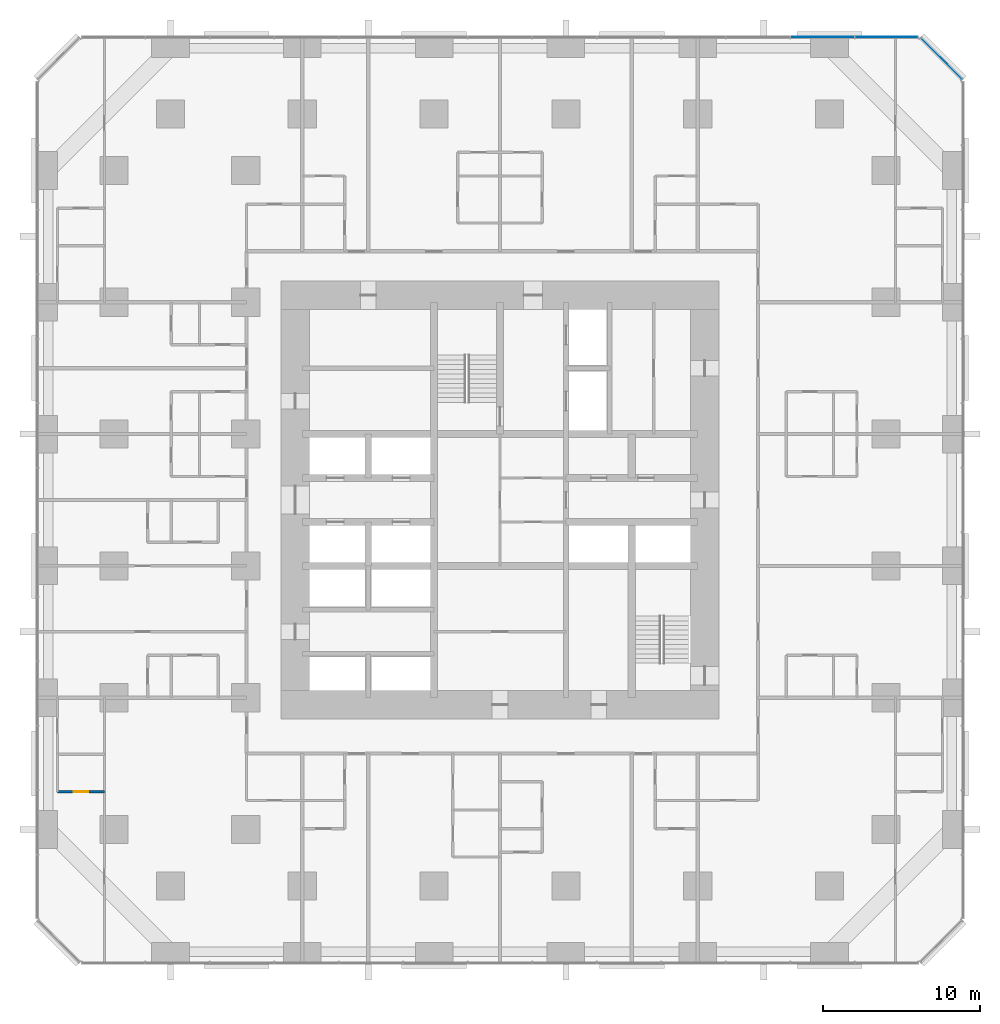
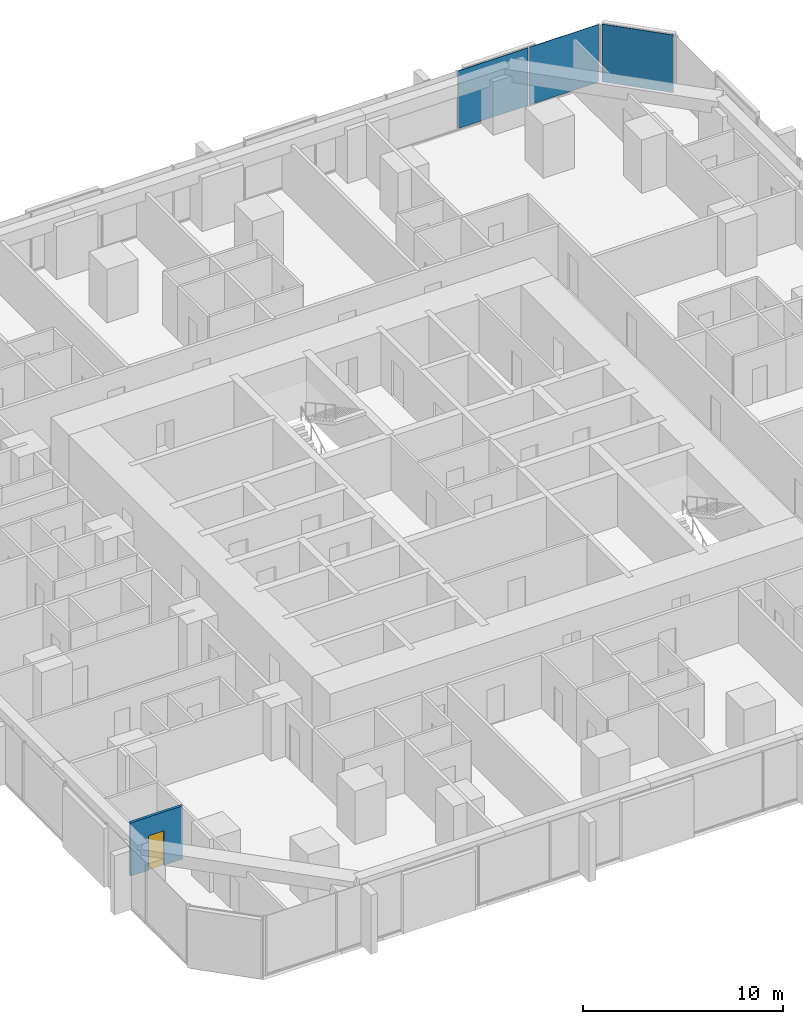
# One storey, part 10 of 17: 3 plates, 1 door, 1 wall, 1 opening, 2 elements without a shape of their own.
"""IFC4 building model written with IfcOpenShell, lengths in metres."""

from ifc_helpers import new_model, si_unit, direction, frame, frame_2d, origin, origin_2d, place, context, subcontext, project, spatial, rectangle, extrude, material, layer, layer_set, type_object, element, fill, aggregate, save


model = new_model("IFC4")

# Units and contexts
model_context = context("Model", 3, precision=1e-05, world=origin(), true_north=direction((0.0, 1.0)))
body_context = subcontext(model_context, "Body", "Model", "MODEL_VIEW")
ifc_project = project(units=[si_unit("LENGTHUNIT", "METRE"), si_unit("AREAUNIT", "SQUARE_METRE"), si_unit("VOLUMEUNIT", "CUBIC_METRE"), si_unit("PLANEANGLEUNIT", "RADIAN"), si_unit("MASSUNIT", "GRAM", prefix="KILO")], contexts=[model_context])

# Site, building, storey
site_placement = place(None, origin())
site = spatial("IfcSite", under=ifc_project, at=site_placement, CompositionType="ELEMENT")
building_placement = place(site_placement, origin())
building = spatial("IfcBuilding", under=site, at=building_placement, Name="Dunama Terrace Hotel", CompositionType="ELEMENT")
storey_placement = place(building_placement, frame((0.0, 0.0, 41.39990234375)))
storey = spatial("IfcBuildingStorey", under=building, at=storey_placement, Name="L09", CompositionType="ELEMENT", Elevation=41.39990234375)

# Curtain wall, plate
ifc_material_1 = material(Name="Aluminium curtain wall system", Category="aluminium")
curtain_wall_type = type_object("IfcCurtainWallType", Name="Unitised fritted glass wall CW-A", PredefinedType="NOTDEFINED", material=ifc_material_1)
curtain_wall_1_placement = place(storey_placement, origin())
curtain_wall_1 = element("IfcCurtainWall", 1, at=curtain_wall_1_placement, inside=storey, type_object=curtain_wall_type, Name="Unitised fritted glass wall CW-A L09", PredefinedType="NOTDEFINED")
ifc_material_2 = material(Name="Laminated glass", Category="glass")
ifc_layer_1 = layer(ifc_material_2, 0.030029296875)
ifc_layer_set_1 = layer_set([ifc_layer_1], Name="CWA clear glass panel")
plate_type_1 = type_object("IfcPlateType", Name="CWA clear glass panel", PredefinedType="CURTAIN_PANEL", material=ifc_layer_set_1)
plate_1_placement = place(storey_placement, frame((57.52099609375, 57.52099609375, 0.0751953125), z_axis=(0.0, 0.0, 1.0), x_axis=(-0.707106781187, 0.707106781187, 0.0)))
plate_1 = element("IfcPlate", 2, at=plate_1_placement, type_object=plate_type_1, Name="CWA clear glass panel", PredefinedType="CURTAIN_PANEL", context=body_context, shape_type="SweptSolid", body=[
    extrude(rectangle(XDim=3.6884765625, YDim=0.030029296875, at=origin_2d()), origin(), (0.0, 0.0, 1.0), 3.52490234375),
])
aggregate(curtain_wall_1, [plate_1])

# Curtain wall, plates
curtain_wall_2_placement = place(storey_placement, origin())
curtain_wall_2 = element("IfcCurtainWall", 3, at=curtain_wall_2_placement, inside=storey, type_object=curtain_wall_type, Name="Unitised fritted glass wall CW-A L09", PredefinedType="NOTDEFINED")
ifc_material_3 = material(Name="Fritted laminated glass", Category="glass")
ifc_layer_2 = layer(ifc_material_3, 0.030029296875)
ifc_layer_set_2 = layer_set([ifc_layer_2], Name="CWA fritted glass panel")
plate_type_2 = type_object("IfcPlateType", Name="CWA fritted glass panel", PredefinedType="CURTAIN_PANEL", material=ifc_layer_set_2)
plate_2_placement = place(storey_placement, frame((49.93798828125, 58.89990234375, 0.0751953125), z_axis=(0.0, 0.0, 1.0), x_axis=(-1.0, 0.0, 0.0)))
plate_2 = element("IfcPlate", 4, at=plate_2_placement, type_object=plate_type_2, Name="CWA fritted glass panel", PredefinedType="CURTAIN_PANEL", context=body_context, shape_type="SweptSolid", body=[
    extrude(rectangle(XDim=4.042724609375, YDim=0.030029296875, at=origin_2d()), origin(), (0.0, 0.0, 1.0), 3.52490234375),
])
ifc_material_4 = material(Name="Laminated glass", Category="glass")
ifc_layer_3 = layer(ifc_material_4, 0.030029296875)
ifc_layer_set_3 = layer_set([ifc_layer_3], Name="CWA operable glass panel")
plate_type_3 = type_object("IfcPlateType", Name="CWA operable glass panel", PredefinedType="CURTAIN_PANEL", material=ifc_layer_set_3)
plate_3_placement = place(storey_placement, frame((54.030029296875, 58.89990234375, 0.0751953125), z_axis=(0.0, 0.0, 1.0), x_axis=(-1.0, 0.0, 0.0)))
plate_3 = element("IfcPlate", 5, at=plate_3_placement, type_object=plate_type_3, Name="CWA operable glass panel", PredefinedType="CURTAIN_PANEL", context=body_context, shape_type="SweptSolid", body=[
    extrude(rectangle(XDim=4.01025390625, YDim=0.030029296875, at=origin_2d()), origin(), (0.0, 0.0, 1.0), 3.52490234375),
])
aggregate(curtain_wall_2, [plate_3, plate_2])

# Wall, opening, door
ifc_material_5 = material(Name="Gypsum board partition", Category="masonry")
ifc_layer_4 = layer(ifc_material_5, 0.14990234375)
ifc_layer_set_4 = layer_set([ifc_layer_4], Name="Room partition 150")
wall_type = type_object("IfcWallType", Name="Room partition 150", PredefinedType="PARTITIONING", material=ifc_layer_set_4)
wall_placement = place(storey_placement, frame((1.199951171875, 10.800048828125, 0.0), z_axis=(0.0, 0.0, 1.0), x_axis=(1.0, 0.0, 0.0)))
wall = element("IfcWall", 6, at=wall_placement, inside=storey, type_object=wall_type, Name="Room partition 150 L09", PredefinedType="PARTITIONING", context=body_context, shape_type="SweptSolid", body=[
    extrude(rectangle(XDim=3.0, YDim=0.14990234375, at=frame_2d((1.5, 0.0))), origin(), (0.0, 0.0, 1.0), 3.25),
])
opening_placement = place(wall_placement, frame((1.050048828125, 0.0, 0.0)))
opening = element("IfcOpeningElement", 7, at=opening_placement, cuts=wall, Name="Opening L07-09-062", PredefinedType="OPENING", context=body_context, shape_type="SweptSolid", body=[
    extrude(rectangle(XDim=0.89990234375, YDim=2.10009765625, at=frame_2d((0.449951171875, 1.050048828125))), frame((0.0, 0.0849609375, 0.0), z_axis=(0.0, -1.0, 0.0), x_axis=(1.0, 0.0, 0.0)), (0.0, 0.0, 1.0), 0.169921875),
])
ifc_material_6 = material(Name="Timber door with steel frame", Category="steel")
door_type = type_object("IfcDoorType", Name="Suite internal door 900", OperationType="SINGLE_SWING_LEFT", PredefinedType="DOOR", material=ifc_material_6)
door_placement = place(opening_placement, origin())
door = element("IfcDoor", 8, at=door_placement, inside=storey, type_object=door_type, Name="Door to dressing room L07-09-062, type D16", OperationType="SINGLE_SWING_LEFT", OverallHeight=2.10009765625, OverallWidth=0.89990234375, PredefinedType="DOOR", context=body_context, shape_type="SweptSolid", body=[
    extrude(rectangle(XDim=0.89990234375, YDim=2.10009765625, at=frame_2d((0.449951171875, 1.050048828125))), frame((0.0, 0.02490234375, 0.0), z_axis=(0.0, -1.0, 0.0), x_axis=(1.0, 0.0, 0.0)), (0.0, 0.0, 1.0), 0.050048828125),
])
fill(opening, door)

save(model, "model.ifc")
